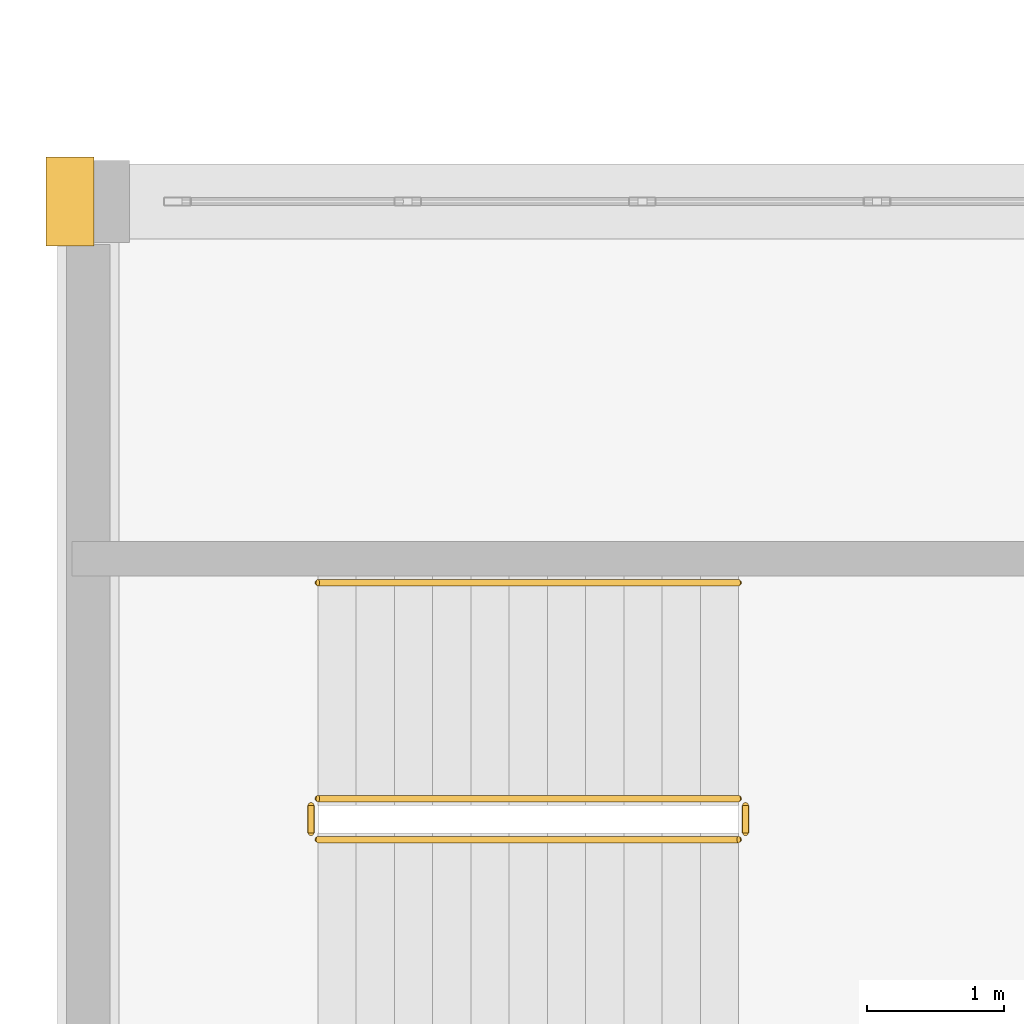
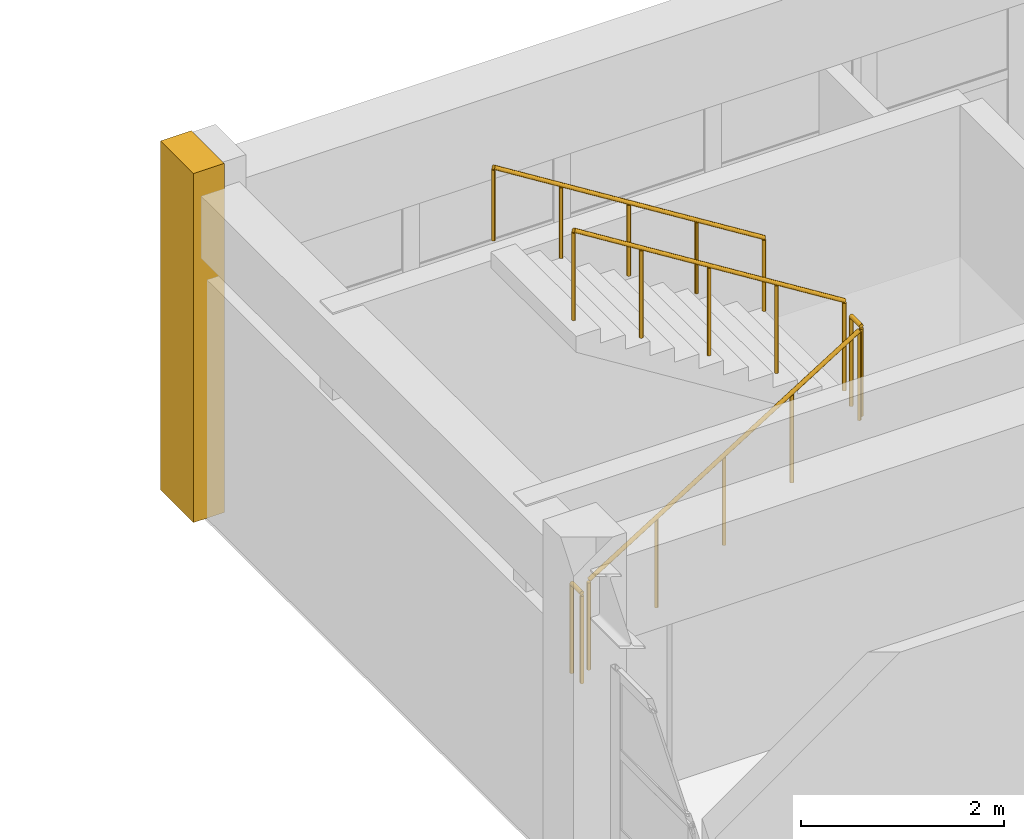
# One storey, part 111 of 124: 5 railings, 1 covering.
"""IFC4 building model written with IfcOpenShell, lengths in metres."""

from ifc_helpers import new_model, si_unit, direction, frame, origin, origin_2d, place, context, subcontext, project, spatial, rectangle, circle, extrude, material, layer, layer_set, type_object, element, save


model = new_model("IFC4")

# Units and contexts
model_context = context("Model", 3, precision=1e-05, world=origin(), true_north=direction((0.0, 1.0)))
body_context = subcontext(model_context, "Body", "Model", "MODEL_VIEW")
ifc_project = project(units=[si_unit("LENGTHUNIT", "METRE"), si_unit("AREAUNIT", "SQUARE_METRE"), si_unit("VOLUMEUNIT", "CUBIC_METRE"), si_unit("PLANEANGLEUNIT", "RADIAN"), si_unit("MASSUNIT", "GRAM", prefix="KILO")], contexts=[model_context])

# Site, building, storey
site_placement = place(None, origin())
site = spatial("IfcSite", under=ifc_project, at=site_placement, CompositionType="ELEMENT")
building_placement = place(site_placement, origin())
building = spatial("IfcBuilding", under=site, at=building_placement, Name="Qasida Concert Hall", CompositionType="ELEMENT")
storey_placement = place(building_placement, frame((0.0, 0.0, 9.0)))
storey = spatial("IfcBuildingStorey", under=building, at=storey_placement, Name="L02", CompositionType="ELEMENT", Elevation=9.0)

# Covering
ifc_material_1 = material(Name="Projecting fluted Lebanese limestone Art Deco pilaster", Category="masonry")
ifc_layer_1 = layer(ifc_material_1, 0.35009765625, Name="Projecting fluted Lebanese limestone Art Deco pilaster")
ifc_layer_set_1 = layer_set([ifc_layer_1], Name="Projecting fluted Lebanese limestone Art Deco pilaster")
covering_type = type_object("IfcCoveringType", Name="CV-PIL-650", PredefinedType="CLADDING", material=ifc_layer_set_1)
covering_placement = place(storey_placement, frame((-0.135009765625, 52.5, 0.0), z_axis=(0.0, 0.0, 1.0), x_axis=(1.0, 0.0, 0.0)))
element("IfcCovering", 1, at=covering_placement, inside=storey, type_object=covering_type, Name="L02 fluted limestone pilaster 0187", PredefinedType="CLADDING", context=body_context, shape_type="SweptSolid", body=[
    extrude(rectangle(XDim=0.35009765625, YDim=0.64990234375, at=origin_2d()), origin(), (0.0, 0.0, 1.0), 4.199951171875),
])

# Railings
ifc_material_2 = material(Name="Patinated architectural bronze and laminated glass infill", Category="glass")
ifc_layer_2 = layer(ifc_material_2, 0.080078125, Name="Patinated architectural bronze and laminated glass infill")
ifc_layer_set_2 = layer_set([ifc_layer_2], Name="Patinated architectural bronze and laminated glass infill")
railing_type_1 = type_object("IfcRailingType", Name="RL-GRD-1100", PredefinedType="GUARDRAIL", material=ifc_layer_set_2)
railing_1_placement = place(storey_placement, frame((1.679931640625, 47.830078125, 0.175048828125)))
element("IfcRailing", 2, at=railing_1_placement, inside=storey, type_object=railing_type_1, Name="L02 ST-04 stair guard 1", PredefinedType="GUARDRAIL", context=body_context, shape_type="SweptSolid", body=[
    extrude(circle(Radius=0.02392578125, at=origin_2d()), frame((0.0, 0.0, 1.076171875), z_axis=(0.847998304005, 0.0, 0.529998940003), x_axis=(0.0, 1.0, 0.0)), (0.0, 0.0, 1.0), 3.632080078125),
    extrude(circle(Radius=0.02099609375, at=origin_2d()), origin(), (0.0, 0.0, 1.0), 1.052001953125),
    extrude(circle(Radius=0.02099609375, at=origin_2d()), frame((0.77001953125, 0.0, 0.481201171875)), (0.0, 0.0, 1.0), 1.052001953125),
    extrude(circle(Radius=0.02099609375, at=origin_2d()), frame((1.5400390625, 0.0, 0.96240234375)), (0.0, 0.0, 1.0), 1.052001953125),
    extrude(circle(Radius=0.02099609375, at=origin_2d()), frame((2.31005859375, 0.0, 1.44384765625)), (0.0, 0.0, 1.0), 1.052001953125),
    extrude(circle(Radius=0.02099609375, at=origin_2d()), frame((3.080078125, 0.0, 1.925048828125)), (0.0, 0.0, 1.0), 1.052001953125),
])
railing_2_placement = place(storey_placement, frame((4.81005859375, 47.8798828125, 2.10009765625)))
element("IfcRailing", 3, at=railing_2_placement, inside=storey, type_object=railing_type_1, Name="L02 ST-04 stair guard 2", PredefinedType="GUARDRAIL", context=body_context, shape_type="SweptSolid", body=[
    extrude(circle(Radius=0.02392578125, at=origin_2d()), frame((0.0, 0.0, 1.076171875), z_axis=(0.0, 1.0, 0.0), x_axis=(-1.0, 0.0, 0.0)), (0.0, 0.0, 1.0), 0.2001953125),
    extrude(circle(Radius=0.02099609375, at=origin_2d()), origin(), (0.0, 0.0, 1.0), 1.052001953125),
    extrude(circle(Radius=0.02099609375, at=origin_2d()), frame((0.0, 0.2001953125, 0.0)), (0.0, 0.0, 1.0), 1.052001953125),
])
railing_3_placement = place(storey_placement, frame((4.760009765625, 48.1298828125, 2.27490234375)))
element("IfcRailing", 4, at=railing_3_placement, inside=storey, type_object=railing_type_1, Name="L02 ST-04 stair guard 3", PredefinedType="GUARDRAIL", context=body_context, shape_type="SweptSolid", body=[
    extrude(circle(Radius=0.02392578125, at=origin_2d()), frame((0.0, 0.0, 1.076171875), z_axis=(-0.847998304005, 0.0, 0.529998940003), x_axis=(0.0, -1.0, 0.0)), (0.0, 0.0, 1.0), 3.632080078125),
    extrude(circle(Radius=0.02099609375, at=origin_2d()), origin(), (0.0, 0.0, 1.0), 1.052001953125),
    extrude(circle(Radius=0.02099609375, at=origin_2d()), frame((-0.77001953125, 0.0, 0.481201171875)), (0.0, 0.0, 1.0), 1.052001953125),
    extrude(circle(Radius=0.02099609375, at=origin_2d()), frame((-1.5400390625, 0.0, 0.96240234375)), (0.0, 0.0, 1.0), 1.052001953125),
    extrude(circle(Radius=0.02099609375, at=origin_2d()), frame((-2.31005859375, 0.0, 1.44384765625)), (0.0, 0.0, 1.0), 1.052001953125),
    extrude(circle(Radius=0.02099609375, at=origin_2d()), frame((-3.080078125, 0.0, 1.925048828125)), (0.0, 0.0, 1.0), 1.052001953125),
])
railing_4_placement = place(storey_placement, frame((1.6298828125, 47.8798828125, 0.0)))
element("IfcRailing", 5, at=railing_4_placement, inside=storey, type_object=railing_type_1, Name="L02 ST-04 stair guard 4", PredefinedType="GUARDRAIL", context=body_context, shape_type="SweptSolid", body=[
    extrude(circle(Radius=0.02392578125, at=origin_2d()), frame((0.0, 0.0, 1.076171875), z_axis=(0.0, 1.0, 0.0), x_axis=(-1.0, 0.0, 0.0)), (0.0, 0.0, 1.0), 0.2001953125),
    extrude(circle(Radius=0.02099609375, at=origin_2d()), origin(), (0.0, 0.0, 1.0), 1.052001953125),
    extrude(circle(Radius=0.02099609375, at=origin_2d()), frame((0.0, 0.2001953125, 0.0)), (0.0, 0.0, 1.0), 1.052001953125),
])
ifc_material_3 = material(Name="Patinated tubular architectural bronze", Category="steel")
ifc_layer_3 = layer(ifc_material_3, 0.050048828125, Name="Patinated tubular architectural bronze")
ifc_layer_set_3 = layer_set([ifc_layer_3], Name="Patinated tubular architectural bronze")
railing_type_2 = type_object("IfcRailingType", Name="RL-HND-900", PredefinedType="HANDRAIL", material=ifc_layer_set_3)
railing_5_placement = place(storey_placement, frame((4.760009765625, 49.7099609375, 2.27490234375)))
element("IfcRailing", 6, at=railing_5_placement, inside=storey, type_object=railing_type_2, Name="L02 ST-04 stair handrail 2", PredefinedType="HANDRAIL", context=body_context, shape_type="SweptSolid", body=[
    extrude(circle(Radius=0.02392578125, at=origin_2d()), frame((0.0, 0.0, 0.8759765625), z_axis=(-0.847998304005, 0.0, 0.529998940003), x_axis=(0.0, -1.0, 0.0)), (0.0, 0.0, 1.0), 3.632080078125),
    extrude(circle(Radius=0.02099609375, at=origin_2d()), origin(), (0.0, 0.0, 1.0), 0.851806640625),
    extrude(circle(Radius=0.02099609375, at=origin_2d()), frame((-0.77001953125, 0.0, 0.481201171875)), (0.0, 0.0, 1.0), 0.851806640625),
    extrude(circle(Radius=0.02099609375, at=origin_2d()), frame((-1.5400390625, 0.0, 0.96240234375)), (0.0, 0.0, 1.0), 0.851806640625),
    extrude(circle(Radius=0.02099609375, at=origin_2d()), frame((-2.31005859375, 0.0, 1.44384765625)), (0.0, 0.0, 1.0), 0.851806640625),
    extrude(circle(Radius=0.02099609375, at=origin_2d()), frame((-3.080078125, 0.0, 1.925048828125)), (0.0, 0.0, 1.0), 0.851806640625),
])

save(model, "model.ifc")
